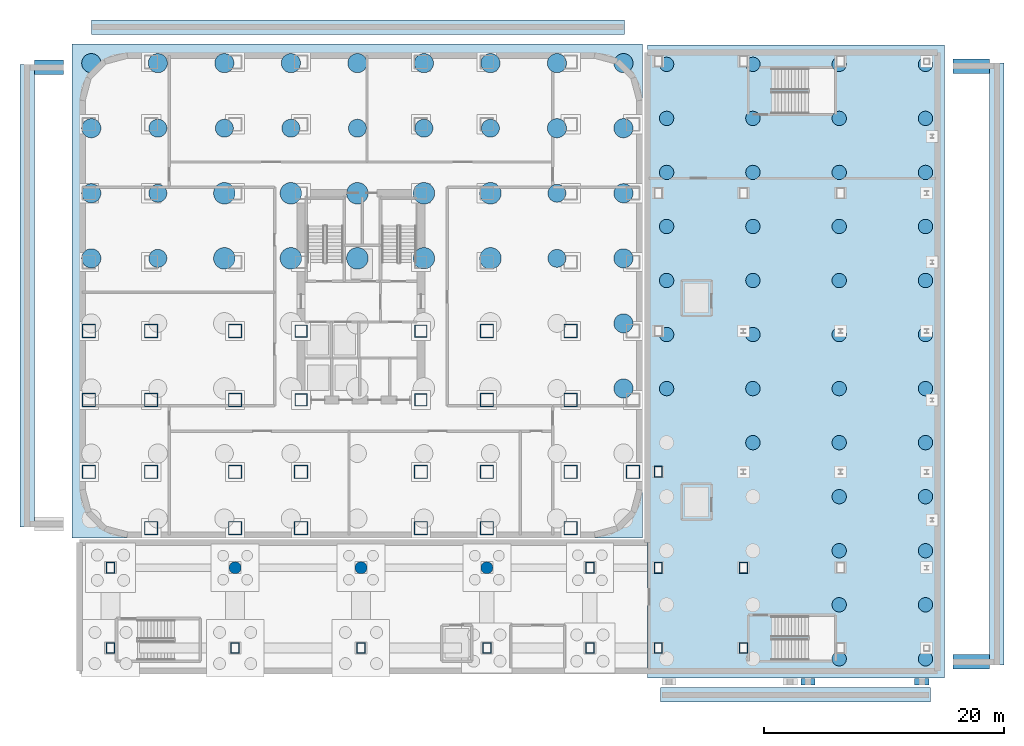
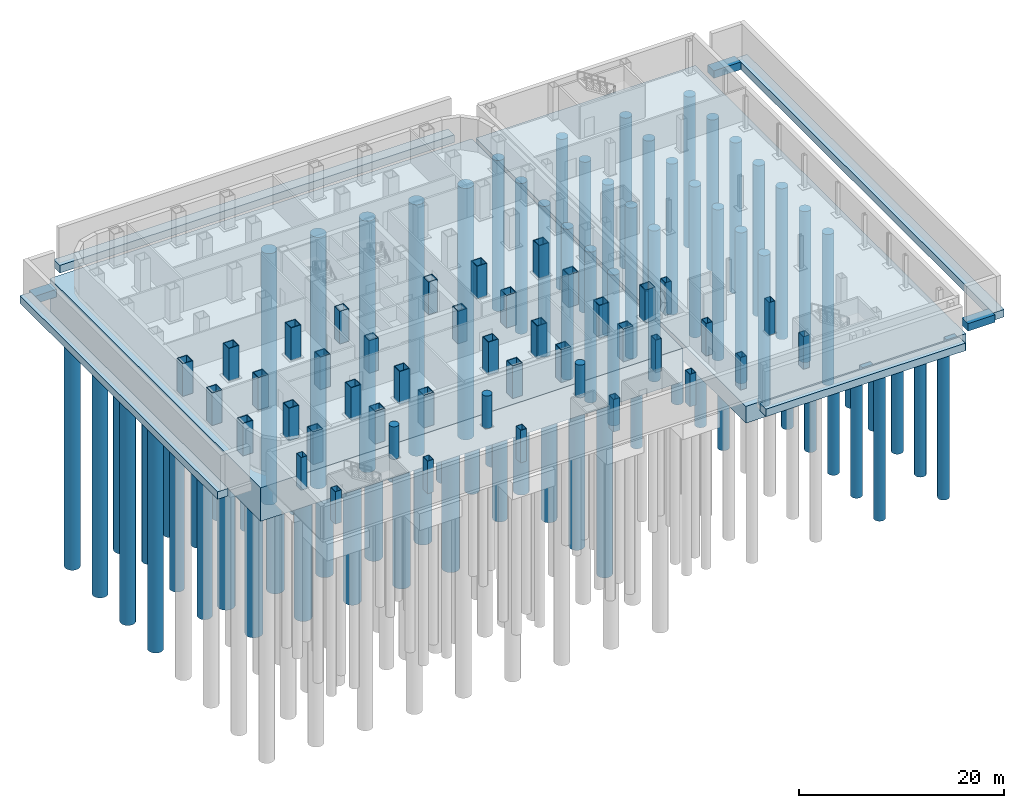
# One storey, part 2 of 16: 77 piles, 43 columns, 11 footings.
"""IFC4 building model written with IfcOpenShell, lengths in metres."""

from ifc_helpers import new_model, si_unit, direction, frame, origin, origin_2d, place, context, subcontext, project, spatial, polyline, rectangle, hollow_rectangle, circle, outline, extrude, source, transform, mapped, material, layer, layer_set, material_profile, profile_set, type_object, element, save


model = new_model("IFC4")

# Units and contexts
model_context = context("Model", 3, precision=1e-05, world=origin(), true_north=direction((0.0, 1.0)))
body_context = subcontext(model_context, "Body", "Model", "MODEL_VIEW")
ifc_project = project(units=[si_unit("LENGTHUNIT", "METRE"), si_unit("AREAUNIT", "SQUARE_METRE"), si_unit("VOLUMEUNIT", "CUBIC_METRE"), si_unit("PLANEANGLEUNIT", "RADIAN"), si_unit("MASSUNIT", "GRAM", prefix="KILO")], contexts=[model_context])

# Site, building, storey
site_placement = place(None, origin())
site = spatial("IfcSite", under=ifc_project, at=site_placement, CompositionType="ELEMENT")
building_placement = place(site_placement, origin())
building = spatial("IfcBuilding", under=site, at=building_placement, Name="Kolveth Station Tower", CompositionType="ELEMENT")
storey_placement = place(building_placement, frame((0.0, 0.0, -8.39990234375)))
storey = spatial("IfcBuildingStorey", under=building, at=storey_placement, Name="B2", CompositionType="ELEMENT", Elevation=-8.39990234375)

# Footings
ifc_material_1 = material(Name="Concrete C45/55", Category="concrete")
ifc_layer_1 = layer(ifc_material_1, 2.0)
ifc_layer_set_1 = layer_set([ifc_layer_1], Name="Concrete C45/55")
footing_type_1 = type_object("IfcFootingType", Name="Footing_RF-S1", PredefinedType="PILE_CAP", material=ifc_layer_set_1)
footing_1_placement = place(storey_placement, frame((0.0, 0.0, -2.5)))
element("IfcFooting", 1, at=footing_1_placement, inside=storey, type_object=footing_type_1, Name="Station East Wing Piled Raft RF-S1", PredefinedType="PILE_CAP", context=body_context, shape_type="SweptSolid", body=[
    extrude(outline(polyline([(47.39990234375, -11.699951171875), (72.199951171875, -11.699951171875), (72.199951171875, 41.10009765625), (47.39990234375, 41.10009765625), (47.39990234375, -11.699951171875)])), origin(), (0.0, 0.0, 1.0), 2.0),
])
ifc_material_2 = material(Name="Concrete C50/60", Category="concrete")
ifc_layer_2 = layer(ifc_material_2, 4.0)
ifc_layer_set_2 = layer_set([ifc_layer_2], Name="Concrete C50/60")
footing_type_2 = type_object("IfcFootingType", Name="Footing_RF-T1", PredefinedType="PILE_CAP", material=ifc_layer_set_2)
footing_2_placement = place(storey_placement, frame((0.0, 0.0, -4.5)))
element("IfcFooting", 2, at=footing_2_placement, inside=storey, type_object=footing_type_2, Name="Tower Piled Raft Foundation RF-T1", PredefinedType="PILE_CAP", context=body_context, shape_type="SweptSolid", body=[
    extrude(outline(polyline([(-0.60009765625, 0.0), (47.0, 0.0), (47.0, 41.199951171875), (-0.60009765625, 41.199951171875), (-0.60009765625, 0.0)])), origin(), (0.0, 0.0, 1.0), 4.0),
])

# Piles
ifc_material_profile_1 = material_profile(ifc_material_2, circle(Radius=0.800048828125, at=origin_2d()), Name="PILE-D1600")
ifc_profile_set_1 = profile_set([ifc_material_profile_1], Name="Concrete C50/60")
pile_type_1 = type_object("IfcPileType", Name="BoredPile_P2", PredefinedType="BORED", material=ifc_profile_set_1)
shared_shape_1 = source(origin(), body_context, "Body", "SweptSolid", [
    extrude(circle(Radius=0.800048828125, at=origin_2d()), origin(), (0.0, 0.0, 1.0), 30.0),
])
for number, where, z_axis, x_axis, name in (
    (3, (1.0, 23.31396484375, -4.35009765625), (0.0, 0.0, -1.0), (1.0, 0.0, 0.0), "Tower Bored Pile P2-005"),
    (4, (1.0, 28.742919921875, -4.35009765625), (0.0, 0.0, -1.0), (1.0, 0.0, 0.0), "Tower Bored Pile P2-006"),
    (5, (1.0, 34.1708984375, -4.35009765625), (0.0, 0.0, -1.0), (1.0, 0.0, 0.0), "Tower Bored Pile P2-007"),
    (6, (1.0, 39.60009765625, -4.35009765625), (0.0, 0.0, -1.0), (1.0, 0.0, 0.0), "Tower Bored Pile P2-008"),
    (7, (6.550048828125, 39.60009765625, -4.35009765625), (0.0, 0.0, -1.0), (1.0, 0.0, 0.0), "Tower Bored Pile P2-016"),
    (8, (12.10009765625, 39.60009765625, -4.35009765625), (0.0, 0.0, -1.0), (1.0, 0.0, 0.0), "Tower Bored Pile P2-024"),
    (9, (17.64990234375, 39.60009765625, -4.35009765625), (0.0, 0.0, -1.0), (1.0, 0.0, 0.0), "Tower Bored Pile P2-032"),
    (10, (23.199951171875, 39.60009765625, -4.35009765625), (0.0, 0.0, -1.0), (1.0, 0.0, 0.0), "Tower Bored Pile P2-040"),
    (11, (28.75, 39.60009765625, -4.35009765625), (0.0, 0.0, -1.0), (1.0, 0.0, 0.0), "Tower Bored Pile P2-048"),
    (12, (34.300048828125, 39.60009765625, -4.35009765625), (0.0, 0.0, -1.0), (1.0, 0.0, 0.0), "Tower Bored Pile P2-056"),
    (13, (39.85009765625, 34.1708984375, -4.35009765625), (0.0, 0.0, -1.0), (1.0, 0.0, 0.0), "Tower Bored Pile P2-063"),
    (14, (39.85009765625, 39.60009765625, -4.35009765625), (0.0, 0.0, -1.0), (1.0, 0.0, 0.0), "Tower Bored Pile P2-064"),
    (15, (45.39990234375, 12.45703125, -4.35009765625), (0.0, 0.0, -1.0), (1.0, 0.0, 0.0), "Tower Bored Pile P2-067"),
    (16, (45.39990234375, 17.885986328125, -4.35009765625), (0.0, 0.0, -1.0), (1.0, 0.0, 0.0), "Tower Bored Pile P2-068"),
    (17, (45.39990234375, 23.31396484375, -4.35009765625), (0.0, 0.0, -1.0), (1.0, 0.0, 0.0), "Tower Bored Pile P2-069"),
    (18, (45.39990234375, 28.742919921875, -4.35009765625), (0.0, 0.0, -1.0), (1.0, 0.0, 0.0), "Tower Bored Pile P2-070"),
    (19, (45.39990234375, 34.1708984375, -4.35009765625), (0.0, 0.0, -1.0), (1.0, 0.0, 0.0), "Tower Bored Pile P2-071"),
    (20, (45.39990234375, 39.60009765625, -4.35009765625), (0.0, 0.0, -1.0), (1.0, 0.0, 0.0), "Tower Bored Pile P2-072"),
):
    element("IfcPile", number, at=place(storey_placement, frame(where, z_axis=z_axis, x_axis=x_axis)), inside=storey, type_object=pile_type_1, Name=name, PredefinedType="BORED", context=body_context, shape_type="MappedRepresentation", body=[
        mapped(shared_shape_1, transform((0.0, 0.0, 0.0), x_axis=(1.0, 0.0, 0.0), y_axis=(0.0, 1.0, 0.0), z_axis=(0.0, 0.0, 1.0), scale=1.0)),
    ])
ifc_material_profile_2 = material_profile(ifc_material_2, circle(Radius=0.75, at=origin_2d()), Name="PILE-D1500")
ifc_profile_set_2 = profile_set([ifc_material_profile_2], Name="Concrete C50/60")
pile_type_2 = type_object("IfcPileType", Name="BoredPile_P3", PredefinedType="BORED", material=ifc_profile_set_2)
shared_shape_2 = source(origin(), body_context, "Body", "SweptSolid", [
    extrude(circle(Radius=0.75, at=origin_2d()), origin(), (0.0, 0.0, 1.0), 28.0),
])
for number, where, z_axis, x_axis, name in (
    (21, (6.550048828125, 23.31396484375, -4.35009765625), (0.0, 0.0, -1.0), (1.0, 0.0, 0.0), "Tower Bored Pile P3-013"),
    (22, (6.550048828125, 28.742919921875, -4.35009765625), (0.0, 0.0, -1.0), (1.0, 0.0, 0.0), "Tower Bored Pile P3-014"),
    (23, (6.550048828125, 34.1708984375, -4.35009765625), (0.0, 0.0, -1.0), (1.0, 0.0, 0.0), "Tower Bored Pile P3-015"),
    (24, (12.10009765625, 34.1708984375, -4.35009765625), (0.0, 0.0, -1.0), (1.0, 0.0, 0.0), "Tower Bored Pile P3-023"),
    (25, (17.64990234375, 34.1708984375, -4.35009765625), (0.0, 0.0, -1.0), (1.0, 0.0, 0.0), "Tower Bored Pile P3-031"),
    (26, (23.199951171875, 34.1708984375, -4.35009765625), (0.0, 0.0, -1.0), (1.0, 0.0, 0.0), "Tower Bored Pile P3-039"),
    (27, (28.75, 34.1708984375, -4.35009765625), (0.0, 0.0, -1.0), (1.0, 0.0, 0.0), "Tower Bored Pile P3-047"),
    (28, (34.300048828125, 34.1708984375, -4.35009765625), (0.0, 0.0, -1.0), (1.0, 0.0, 0.0), "Tower Bored Pile P3-055"),
    (29, (39.85009765625, 23.31396484375, -4.35009765625), (0.0, 0.0, -1.0), (1.0, 0.0, 0.0), "Tower Bored Pile P3-061"),
    (30, (39.85009765625, 28.742919921875, -4.35009765625), (0.0, 0.0, -1.0), (1.0, 0.0, 0.0), "Tower Bored Pile P3-062"),
):
    element("IfcPile", number, at=place(storey_placement, frame(where, z_axis=z_axis, x_axis=x_axis)), inside=storey, type_object=pile_type_2, Name=name, PredefinedType="BORED", context=body_context, shape_type="MappedRepresentation", body=[
        mapped(shared_shape_2, transform((0.0, 0.0, 0.0), x_axis=(1.0, 0.0, 0.0), y_axis=(0.0, 1.0, 0.0), z_axis=(0.0, 0.0, 1.0), scale=1.0)),
    ])
ifc_material_profile_3 = material_profile(ifc_material_2, circle(Radius=0.89990234375, at=origin_2d()), Name="PILE-D1800")
ifc_profile_set_3 = profile_set([ifc_material_profile_3], Name="Concrete C50/60")
pile_type_3 = type_object("IfcPileType", Name="BoredPile_P1", PredefinedType="BORED", material=ifc_profile_set_3)
shared_shape_3 = source(origin(), body_context, "Body", "SweptSolid", [
    extrude(circle(Radius=0.89990234375, at=origin_2d()), origin(), (0.0, 0.0, 1.0), 32.0),
])
for number, where, z_axis, x_axis, name in (
    (31, (12.10009765625, 23.31396484375, -4.35009765625), (0.0, 0.0, -1.0), (1.0, 0.0, 0.0), "Tower Bored Pile P1-021"),
    (32, (12.10009765625, 28.742919921875, -4.35009765625), (0.0, 0.0, -1.0), (1.0, 0.0, 0.0), "Tower Bored Pile P1-022"),
    (33, (17.64990234375, 23.31396484375, -4.35009765625), (0.0, 0.0, -1.0), (1.0, 0.0, 0.0), "Tower Bored Pile P1-029"),
    (34, (17.64990234375, 28.742919921875, -4.35009765625), (0.0, 0.0, -1.0), (1.0, 0.0, 0.0), "Tower Bored Pile P1-030"),
    (35, (23.199951171875, 23.31396484375, -4.35009765625), (0.0, 0.0, -1.0), (1.0, 0.0, 0.0), "Tower Bored Pile P1-037"),
    (36, (23.199951171875, 28.742919921875, -4.35009765625), (0.0, 0.0, -1.0), (1.0, 0.0, 0.0), "Tower Bored Pile P1-038"),
    (37, (28.75, 23.31396484375, -4.35009765625), (0.0, 0.0, -1.0), (1.0, 0.0, 0.0), "Tower Bored Pile P1-045"),
    (38, (28.75, 28.742919921875, -4.35009765625), (0.0, 0.0, -1.0), (1.0, 0.0, 0.0), "Tower Bored Pile P1-046"),
    (39, (34.300048828125, 23.31396484375, -4.35009765625), (0.0, 0.0, -1.0), (1.0, 0.0, 0.0), "Tower Bored Pile P1-053"),
    (40, (34.300048828125, 28.742919921875, -4.35009765625), (0.0, 0.0, -1.0), (1.0, 0.0, 0.0), "Tower Bored Pile P1-054"),
):
    element("IfcPile", number, at=place(storey_placement, frame(where, z_axis=z_axis, x_axis=x_axis)), inside=storey, type_object=pile_type_3, Name=name, PredefinedType="BORED", context=body_context, shape_type="MappedRepresentation", body=[
        mapped(shared_shape_3, transform((0.0, 0.0, 0.0), x_axis=(1.0, 0.0, 0.0), y_axis=(0.0, 1.0, 0.0), z_axis=(0.0, 0.0, 1.0), scale=1.0)),
    ])
ifc_material_profile_4 = material_profile(ifc_material_1, circle(Radius=0.60009765625, at=origin_2d()), Name="PILE-D1200")
ifc_profile_set_4 = profile_set([ifc_material_profile_4], Name="Concrete C45/55")
pile_type_4 = type_object("IfcPileType", Name="BoredPile_P4", PredefinedType="BORED", material=ifc_profile_set_4)
shared_shape_4 = source(origin(), body_context, "Body", "SweptSolid", [
    extrude(circle(Radius=0.60009765625, at=origin_2d()), origin(), (0.0, 0.0, 1.0), 18.0),
])
for number, where, z_axis, x_axis, name in (
    (41, (49.0, 12.445068359375, -2.35009765625), (0.0, 0.0, -1.0), (1.0, 0.0, 0.0), "Station Raft Pile P4-006"),
    (42, (49.0, 16.955078125, -2.35009765625), (0.0, 0.0, -1.0), (1.0, 0.0, 0.0), "Station Raft Pile P4-007"),
    (43, (49.0, 21.464111328125, -2.35009765625), (0.0, 0.0, -1.0), (1.0, 0.0, 0.0), "Station Raft Pile P4-008"),
    (44, (49.0, 25.972900390625, -2.35009765625), (0.0, 0.0, -1.0), (1.0, 0.0, 0.0), "Station Raft Pile P4-009"),
    (45, (49.0, 30.48193359375, -2.35009765625), (0.0, 0.0, -1.0), (1.0, 0.0, 0.0), "Station Raft Pile P4-010"),
    (46, (49.0, 34.990966796875, -2.35009765625), (0.0, 0.0, -1.0), (1.0, 0.0, 0.0), "Station Raft Pile P4-011"),
    (47, (49.0, 39.5, -2.35009765625), (0.0, 0.0, -1.0), (1.0, 0.0, 0.0), "Station Raft Pile P4-012"),
    (48, (56.199951171875, 7.93603515625, -2.35009765625), (0.0, 0.0, -1.0), (1.0, 0.0, 0.0), "Station Raft Pile P4-017"),
    (49, (56.199951171875, 12.445068359375, -2.35009765625), (0.0, 0.0, -1.0), (1.0, 0.0, 0.0), "Station Raft Pile P4-018"),
    (50, (56.199951171875, 16.955078125, -2.35009765625), (0.0, 0.0, -1.0), (1.0, 0.0, 0.0), "Station Raft Pile P4-019"),
    (51, (56.199951171875, 21.464111328125, -2.35009765625), (0.0, 0.0, -1.0), (1.0, 0.0, 0.0), "Station Raft Pile P4-020"),
    (52, (56.199951171875, 25.972900390625, -2.35009765625), (0.0, 0.0, -1.0), (1.0, 0.0, 0.0), "Station Raft Pile P4-021"),
    (53, (56.199951171875, 30.48193359375, -2.35009765625), (0.0, 0.0, -1.0), (1.0, 0.0, 0.0), "Station Raft Pile P4-022"),
    (54, (56.199951171875, 34.990966796875, -2.35009765625), (0.0, 0.0, -1.0), (1.0, 0.0, 0.0), "Station Raft Pile P4-023"),
    (55, (56.199951171875, 39.5, -2.35009765625), (0.0, 0.0, -1.0), (1.0, 0.0, 0.0), "Station Raft Pile P4-024"),
    (56, (63.39990234375, -10.10009765625, -2.35009765625), (0.0, 0.0, -1.0), (1.0, 0.0, 0.0), "Station Raft Pile P4-025"),
    (57, (63.39990234375, -5.591064453125, -2.35009765625), (0.0, 0.0, -1.0), (1.0, 0.0, 0.0), "Station Raft Pile P4-026"),
    (58, (63.39990234375, -1.08203125, -2.35009765625), (0.0, 0.0, -1.0), (1.0, 0.0, 0.0), "Station Raft Pile P4-027"),
    (59, (63.39990234375, 3.427001953125, -2.35009765625), (0.0, 0.0, -1.0), (1.0, 0.0, 0.0), "Station Raft Pile P4-028"),
    (60, (63.39990234375, 7.93603515625, -2.35009765625), (0.0, 0.0, -1.0), (1.0, 0.0, 0.0), "Station Raft Pile P4-029"),
    (61, (63.39990234375, 12.445068359375, -2.35009765625), (0.0, 0.0, -1.0), (1.0, 0.0, 0.0), "Station Raft Pile P4-030"),
    (62, (63.39990234375, 16.955078125, -2.35009765625), (0.0, 0.0, -1.0), (1.0, 0.0, 0.0), "Station Raft Pile P4-031"),
    (63, (63.39990234375, 21.464111328125, -2.35009765625), (0.0, 0.0, -1.0), (1.0, 0.0, 0.0), "Station Raft Pile P4-032"),
    (64, (63.39990234375, 25.972900390625, -2.35009765625), (0.0, 0.0, -1.0), (1.0, 0.0, 0.0), "Station Raft Pile P4-033"),
    (65, (63.39990234375, 30.48193359375, -2.35009765625), (0.0, 0.0, -1.0), (1.0, 0.0, 0.0), "Station Raft Pile P4-034"),
    (66, (63.39990234375, 34.990966796875, -2.35009765625), (0.0, 0.0, -1.0), (1.0, 0.0, 0.0), "Station Raft Pile P4-035"),
    (67, (63.39990234375, 39.5, -2.35009765625), (0.0, 0.0, -1.0), (1.0, 0.0, 0.0), "Station Raft Pile P4-036"),
    (68, (70.60009765625, -10.10009765625, -2.35009765625), (0.0, 0.0, -1.0), (1.0, 0.0, 0.0), "Station Raft Pile P4-037"),
    (69, (70.60009765625, -5.591064453125, -2.35009765625), (0.0, 0.0, -1.0), (1.0, 0.0, 0.0), "Station Raft Pile P4-038"),
    (70, (70.60009765625, -1.08203125, -2.35009765625), (0.0, 0.0, -1.0), (1.0, 0.0, 0.0), "Station Raft Pile P4-039"),
    (71, (70.60009765625, 3.427001953125, -2.35009765625), (0.0, 0.0, -1.0), (1.0, 0.0, 0.0), "Station Raft Pile P4-040"),
    (72, (70.60009765625, 7.93603515625, -2.35009765625), (0.0, 0.0, -1.0), (1.0, 0.0, 0.0), "Station Raft Pile P4-041"),
    (73, (70.60009765625, 12.445068359375, -2.35009765625), (0.0, 0.0, -1.0), (1.0, 0.0, 0.0), "Station Raft Pile P4-042"),
    (74, (70.60009765625, 16.955078125, -2.35009765625), (0.0, 0.0, -1.0), (1.0, 0.0, 0.0), "Station Raft Pile P4-043"),
    (75, (70.60009765625, 21.464111328125, -2.35009765625), (0.0, 0.0, -1.0), (1.0, 0.0, 0.0), "Station Raft Pile P4-044"),
    (76, (70.60009765625, 25.972900390625, -2.35009765625), (0.0, 0.0, -1.0), (1.0, 0.0, 0.0), "Station Raft Pile P4-045"),
    (77, (70.60009765625, 30.48193359375, -2.35009765625), (0.0, 0.0, -1.0), (1.0, 0.0, 0.0), "Station Raft Pile P4-046"),
    (78, (70.60009765625, 34.990966796875, -2.35009765625), (0.0, 0.0, -1.0), (1.0, 0.0, 0.0), "Station Raft Pile P4-047"),
    (79, (70.60009765625, 39.5, -2.35009765625), (0.0, 0.0, -1.0), (1.0, 0.0, 0.0), "Station Raft Pile P4-048"),
):
    element("IfcPile", number, at=place(storey_placement, frame(where, z_axis=z_axis, x_axis=x_axis)), inside=storey, type_object=pile_type_4, Name=name, PredefinedType="BORED", context=body_context, shape_type="MappedRepresentation", body=[
        mapped(shared_shape_4, transform((0.0, 0.0, 0.0), x_axis=(1.0, 0.0, 0.0), y_axis=(0.0, 1.0, 0.0), z_axis=(0.0, 0.0, 1.0), scale=1.0)),
    ])

# Footings
ifc_material_profile_5 = material_profile(ifc_material_1, rectangle(XDim=1.199951171875, YDim=0.89990234375, at=origin_2d()), Name="RC-1200x900")
ifc_profile_set_5 = profile_set([ifc_material_profile_5], Name="Concrete C45/55")
footing_type_3 = type_object("IfcFootingType", Name="Footing_SF2", PredefinedType="STRIP_FOOTING", material=ifc_profile_set_5)
shared_shape_5 = source(origin(), body_context, "Body", "SweptSolid", [
    extrude(rectangle(XDim=1.199951171875, YDim=0.89990234375, at=origin_2d()), origin(), (0.0, 0.0, 1.0), 38.60009765625),
])
footing_3_placement = place(storey_placement, frame((-4.35009765625, 0.89990234375, -0.4501953125), z_axis=(0.0, 1.0, 0.0), x_axis=(-1.0, 0.0, 0.0)))
element("IfcFooting", 80, at=footing_3_placement, inside=storey, type_object=footing_type_3, Name="Forecourt Retaining Wall Strip Footing 1", PredefinedType="STRIP_FOOTING", context=body_context, shape_type="MappedRepresentation", body=[
    mapped(shared_shape_5, transform((0.0, 0.0, 0.0), x_axis=(1.0, 0.0, 0.0), y_axis=(0.0, 1.0, 0.0), z_axis=(0.0, 0.0, 1.0), scale=1.0)),
])
shared_shape_6 = source(origin(), body_context, "Body", "SweptSolid", [
    extrude(rectangle(XDim=1.199951171875, YDim=0.89990234375, at=origin_2d()), origin(), (0.0, 0.0, 1.0), 2.449951171875),
])
footing_4_placement = place(storey_placement, frame((-3.75, 39.25, -0.4501953125), z_axis=(1.0, 0.0, 0.0), x_axis=(0.0, 1.0, 0.0)))
element("IfcFooting", 81, at=footing_4_placement, inside=storey, type_object=footing_type_3, Name="Forecourt Retaining Wall Strip Footing 3", PredefinedType="STRIP_FOOTING", context=body_context, shape_type="MappedRepresentation", body=[
    mapped(shared_shape_6, transform((0.0, 0.0, 0.0), x_axis=(1.0, 0.0, 0.0), y_axis=(0.0, 1.0, 0.0), z_axis=(0.0, 0.0, 1.0), scale=1.0)),
])
shared_shape_7 = source(origin(), body_context, "Body", "SweptSolid", [
    extrude(rectangle(XDim=1.199951171875, YDim=0.89990234375, at=origin_2d()), origin(), (0.0, 0.0, 1.0), 50.2001953125),
])
footing_5_placement = place(storey_placement, frame((76.550048828125, -10.60009765625, -0.4501953125), z_axis=(0.0, 1.0, 0.0), x_axis=(-1.0, 0.0, 0.0)))
element("IfcFooting", 82, at=footing_5_placement, inside=storey, type_object=footing_type_3, Name="Forecourt Retaining Wall Strip Footing 4", PredefinedType="STRIP_FOOTING", context=body_context, shape_type="MappedRepresentation", body=[
    mapped(shared_shape_7, transform((0.0, 0.0, 0.0), x_axis=(1.0, 0.0, 0.0), y_axis=(0.0, 1.0, 0.0), z_axis=(0.0, 0.0, 1.0), scale=1.0)),
])
shared_shape_8 = source(origin(), body_context, "Body", "SweptSolid", [
    extrude(rectangle(XDim=1.199951171875, YDim=0.89990234375, at=origin_2d()), origin(), (0.0, 0.0, 1.0), 3.050048828125),
])
for number, where, z_axis, x_axis, name in (
    (83, (72.89990234375, -10.35009765625, -0.4501953125), (1.0, 0.0, 0.0), (0.0, 1.0, 0.0), "Forecourt Retaining Wall Strip Footing 5"),
    (84, (72.89990234375, 39.35009765625, -0.4501953125), (1.0, 0.0, 0.0), (0.0, 1.0, 0.0), "Forecourt Retaining Wall Strip Footing 6"),
):
    element("IfcFooting", number, at=place(storey_placement, frame(where, z_axis=z_axis, x_axis=x_axis)), inside=storey, type_object=footing_type_3, Name=name, PredefinedType="STRIP_FOOTING", context=body_context, shape_type="MappedRepresentation", body=[
        mapped(shared_shape_8, transform((0.0, 0.0, 0.0), x_axis=(1.0, 0.0, 0.0), y_axis=(0.0, 1.0, 0.0), z_axis=(0.0, 0.0, 1.0), scale=1.0)),
    ])
shared_shape_9 = source(origin(), body_context, "Body", "SweptSolid", [
    extrude(rectangle(XDim=1.199951171875, YDim=0.89990234375, at=origin_2d()), origin(), (0.0, 0.0, 1.0), 44.5),
])
footing_6_placement = place(storey_placement, frame((1.0, 42.60009765625, -0.4501953125), z_axis=(1.0, 0.0, 0.0), x_axis=(0.0, 1.0, 0.0)))
element("IfcFooting", 85, at=footing_6_placement, inside=storey, type_object=footing_type_3, Name="Forecourt Retaining Wall Strip Footing 7", PredefinedType="STRIP_FOOTING", context=body_context, shape_type="MappedRepresentation", body=[
    mapped(shared_shape_9, transform((0.0, 0.0, 0.0), x_axis=(1.0, 0.0, 0.0), y_axis=(0.0, 1.0, 0.0), z_axis=(0.0, 0.0, 1.0), scale=1.0)),
])
shared_shape_10 = source(origin(), body_context, "Body", "SweptSolid", [
    extrude(rectangle(XDim=1.199951171875, YDim=0.89990234375, at=origin_2d()), origin(), (0.0, 0.0, 1.0), 22.5),
])
footing_7_placement = place(storey_placement, frame((48.5, -13.10009765625, -0.4501953125), z_axis=(1.0, 0.0, 0.0), x_axis=(0.0, 1.0, 0.0)))
element("IfcFooting", 86, at=footing_7_placement, inside=storey, type_object=footing_type_3, Name="Forecourt Retaining Wall Strip Footing 8", PredefinedType="STRIP_FOOTING", context=body_context, shape_type="MappedRepresentation", body=[
    mapped(shared_shape_10, transform((0.0, 0.0, 0.0), x_axis=(1.0, 0.0, 0.0), y_axis=(0.0, 1.0, 0.0), z_axis=(0.0, 0.0, 1.0), scale=1.0)),
])
shared_shape_11 = source(origin(), body_context, "Body", "SweptSolid", [
    extrude(rectangle(XDim=1.199951171875, YDim=0.89990234375, at=origin_2d()), origin(), (0.0, 0.0, 1.0), 0.550048828125),
])
for number, where, z_axis, x_axis, name in (
    (87, (60.800048828125, -12.300048828125, -0.4501953125), (0.0, 1.0, 0.0), (-1.0, 0.0, 0.0), "Forecourt Retaining Wall Strip Footing 11"),
    (88, (70.300048828125, -12.300048828125, -0.4501953125), (0.0, 1.0, 0.0), (-1.0, 0.0, 0.0), "Forecourt Retaining Wall Strip Footing 12"),
):
    element("IfcFooting", number, at=place(storey_placement, frame(where, z_axis=z_axis, x_axis=x_axis)), inside=storey, type_object=footing_type_3, Name=name, PredefinedType="STRIP_FOOTING", context=body_context, shape_type="MappedRepresentation", body=[
        mapped(shared_shape_11, transform((0.0, 0.0, 0.0), x_axis=(1.0, 0.0, 0.0), y_axis=(0.0, 1.0, 0.0), z_axis=(0.0, 0.0, 1.0), scale=1.0)),
    ])

# Columns
ifc_material_3 = material(Name="Steel S460", Category="steel")
ifc_material_profile_6 = material_profile(ifc_material_3, hollow_rectangle(XDim=1.139892578125, YDim=1.139892578125, WallThickness=0.070068359375, at=origin_2d()), Name="BOX1140x1140x70")
ifc_profile_set_6 = profile_set([ifc_material_profile_6], Name="Steel S460")
column_type_1 = type_object("IfcColumnType", Name="Col_C1", PredefinedType="COLUMN", material=ifc_profile_set_6)
shared_shape_12 = source(origin(), body_context, "Body", "SweptSolid", [
    extrude(hollow_rectangle(XDim=1.139892578125, YDim=1.139892578125, WallThickness=0.070068359375, at=origin_2d()), origin(), (0.0, 0.0, 1.0), 3.8798828125),
])
for number, where, z_axis, x_axis, name in (
    (89, (6.0, 0.800048828125, 0.0), (0.0, 0.0, 1.0), (1.0, 0.0, 0.0), "B2 Tower Column S-X60"),
    (90, (13.0, 0.800048828125, 0.0), (0.0, 0.0, 1.0), (1.0, 0.0, 0.0), "B2 Tower Column S-X130"),
    (91, (18.5, 0.800048828125, 0.0), (0.0, 0.0, 1.0), (1.0, 0.0, 0.0), "B2 Tower Column S-X185"),
    (92, (28.5, 0.800048828125, 0.0), (0.0, 0.0, 1.0), (1.0, 0.0, 0.0), "B2 Tower Column S-X285"),
    (93, (34.0, 0.800048828125, 0.0), (0.0, 0.0, 1.0), (1.0, 0.0, 0.0), "B2 Tower Column S-X340"),
    (94, (41.0, 0.800048828125, 0.0), (0.0, 0.0, 1.0), (1.0, 0.0, 0.0), "B2 Tower Column S-X410"),
    (95, (0.800048828125, 5.5, 0.0), (0.0, 0.0, 1.0), (1.0, 0.0, 0.0), "B2 Tower Column W-Y55"),
    (96, (46.199951171875, 5.5, 0.0), (0.0, 0.0, 1.0), (1.0, 0.0, 0.0), "B2 Tower Column E-Y55"),
    (97, (0.800048828125, 11.5, 0.0), (0.0, 0.0, 1.0), (1.0, 0.0, 0.0), "B2 Tower Column W-Y115"),
    (98, (0.800048828125, 17.25, 0.0), (0.0, 0.0, 1.0), (1.0, 0.0, 0.0), "B2 Tower Column W-Y172"),
    (99, (6.0, 5.5, 0.0), (0.0, 0.0, 1.0), (1.0, 0.0, 0.0), "B2 Tower Column G-60-55"),
    (100, (6.0, 11.5, 0.0), (0.0, 0.0, 1.0), (1.0, 0.0, 0.0), "B2 Tower Column G-60-115"),
    (101, (6.0, 17.25, 0.0), (0.0, 0.0, 1.0), (1.0, 0.0, 0.0), "B2 Tower Column G-60-172"),
    (102, (13.0, 5.5, 0.0), (0.0, 0.0, 1.0), (1.0, 0.0, 0.0), "B2 Tower Column G-130-55"),
    (103, (13.0, 11.5, 0.0), (0.0, 0.0, 1.0), (1.0, 0.0, 0.0), "B2 Tower Column G-130-115"),
    (104, (13.0, 17.25, 0.0), (0.0, 0.0, 1.0), (1.0, 0.0, 0.0), "B2 Tower Column G-130-172"),
    (105, (18.5, 5.5, 0.0), (0.0, 0.0, 1.0), (1.0, 0.0, 0.0), "B2 Tower Column G-185-55"),
    (106, (28.5, 5.5, 0.0), (0.0, 0.0, 1.0), (1.0, 0.0, 0.0), "B2 Tower Column G-285-55"),
    (107, (34.0, 5.5, 0.0), (0.0, 0.0, 1.0), (1.0, 0.0, 0.0), "B2 Tower Column G-340-55"),
    (108, (34.0, 11.5, 0.0), (0.0, 0.0, 1.0), (1.0, 0.0, 0.0), "B2 Tower Column G-340-115"),
    (109, (34.0, 17.25, 0.0), (0.0, 0.0, 1.0), (1.0, 0.0, 0.0), "B2 Tower Column G-340-172"),
    (110, (41.0, 5.5, 0.0), (0.0, 0.0, 1.0), (1.0, 0.0, 0.0), "B2 Tower Column G-410-55"),
    (111, (41.0, 11.5, 0.0), (0.0, 0.0, 1.0), (1.0, 0.0, 0.0), "B2 Tower Column G-410-115"),
    (112, (41.0, 17.25, 0.0), (0.0, 0.0, 1.0), (1.0, 0.0, 0.0), "B2 Tower Column G-410-172"),
):
    element("IfcColumn", number, at=place(storey_placement, frame(where, z_axis=z_axis, x_axis=x_axis)), inside=storey, type_object=column_type_1, Name=name, PredefinedType="COLUMN", context=body_context, shape_type="MappedRepresentation", body=[
        mapped(shared_shape_12, transform((0.0, 0.0, 0.0), x_axis=(1.0, 0.0, 0.0), y_axis=(0.0, 1.0, 0.0), z_axis=(0.0, 0.0, 1.0), scale=1.0)),
    ])
ifc_material_profile_7 = material_profile(ifc_material_3, hollow_rectangle(XDim=1.0400390625, YDim=1.0400390625, WallThickness=0.06494140625, at=origin_2d()), Name="BOX1040x1040x65")
ifc_profile_set_7 = profile_set([ifc_material_profile_7], Name="Steel S460")
column_type_2 = type_object("IfcColumnType", Name="Col_C2", PredefinedType="COLUMN", material=ifc_profile_set_7)
shared_shape_13 = source(origin(), body_context, "Body", "SweptSolid", [
    extrude(hollow_rectangle(XDim=1.0400390625, YDim=1.0400390625, WallThickness=0.06494140625, at=origin_2d()), origin(), (0.0, 0.0, 1.0), 3.8798828125),
])
for number, where, z_axis, x_axis, name in (
    (113, (18.5, 11.5, 0.0), (0.0, 0.0, 1.0), (1.0, 0.0, 0.0), "B2 Tower Column G-185-115"),
    (114, (18.5, 17.25, 0.0), (0.0, 0.0, 1.0), (1.0, 0.0, 0.0), "B2 Tower Column G-185-172"),
    (115, (28.5, 11.5, 0.0), (0.0, 0.0, 1.0), (1.0, 0.0, 0.0), "B2 Tower Column G-285-115"),
    (116, (28.5, 17.25, 0.0), (0.0, 0.0, 1.0), (1.0, 0.0, 0.0), "B2 Tower Column G-285-172"),
):
    element("IfcColumn", number, at=place(storey_placement, frame(where, z_axis=z_axis, x_axis=x_axis)), inside=storey, type_object=column_type_2, Name=name, PredefinedType="COLUMN", context=body_context, shape_type="MappedRepresentation", body=[
        mapped(shared_shape_13, transform((0.0, 0.0, 0.0), x_axis=(1.0, 0.0, 0.0), y_axis=(0.0, 1.0, 0.0), z_axis=(0.0, 0.0, 1.0), scale=1.0)),
    ])
ifc_material_4 = material(Name="Steel S355", Category="steel")
ifc_material_profile_8 = material_profile(ifc_material_4, hollow_rectangle(XDim=0.699951171875, YDim=0.89990234375, WallThickness=0.0400390625, at=origin_2d()), Name="BOX900x700x40")
ifc_profile_set_8 = profile_set([ifc_material_profile_8], Name="Steel S355")
column_type_3 = type_object("IfcColumnType", Name="Col_SC1", PredefinedType="COLUMN", material=ifc_profile_set_8)
shared_shape_14 = source(origin(), body_context, "Body", "SweptSolid", [
    extrude(hollow_rectangle(XDim=0.699951171875, YDim=0.89990234375, WallThickness=0.0400390625, at=origin_2d()), origin(), (0.0, 0.0, 1.0), 3.8798828125),
])
for number, where, z_axis, x_axis, name in (
    (117, (2.60009765625, -9.199951171875, 0.0), (0.0, 0.0, 1.0), (1.0, 0.0, 0.0), "B2 Station Column SS-A1"),
    (118, (2.60009765625, -2.5, 0.0), (0.0, 0.0, 1.0), (1.0, 0.0, 0.0), "B2 Station Column SS-B1"),
    (119, (13.0, -9.199951171875, 0.0), (0.0, 0.0, 1.0), (1.0, 0.0, 0.0), "B2 Station Column SS-A2"),
    (120, (23.5, -9.199951171875, 0.0), (0.0, 0.0, 1.0), (1.0, 0.0, 0.0), "B2 Station Column SS-A3"),
    (121, (34.0, -9.199951171875, 0.0), (0.0, 0.0, 1.0), (1.0, 0.0, 0.0), "B2 Station Column SS-A4"),
    (122, (42.60009765625, -9.199951171875, 0.0), (0.0, 0.0, 1.0), (1.0, 0.0, 0.0), "B2 Station Column SS-A5"),
    (123, (42.60009765625, -2.5, 0.0), (0.0, 0.0, 1.0), (1.0, 0.0, 0.0), "B2 Station Column SS-B5"),
    (124, (48.300048828125, -9.199951171875, 0.0), (0.0, 0.0, 1.0), (1.0, 0.0, 0.0), "B2 Station Column SE-1-1"),
    (125, (48.300048828125, -2.5, 0.0), (0.0, 0.0, 1.0), (1.0, 0.0, 0.0), "B2 Station Column SE-1-2"),
    (126, (48.300048828125, 5.5, 0.0), (0.0, 0.0, 1.0), (1.0, 0.0, 0.0), "B2 Station Column SE-1-3"),
    (127, (55.39990234375, -9.199951171875, 0.0), (0.0, 0.0, 1.0), (1.0, 0.0, 0.0), "B2 Station Column SE-2-1"),
    (128, (55.39990234375, -2.5, 0.0), (0.0, 0.0, 1.0), (1.0, 0.0, 0.0), "B2 Station Column SE-2-2"),
):
    element("IfcColumn", number, at=place(storey_placement, frame(where, z_axis=z_axis, x_axis=x_axis)), inside=storey, type_object=column_type_3, Name=name, PredefinedType="COLUMN", context=body_context, shape_type="MappedRepresentation", body=[
        mapped(shared_shape_14, transform((0.0, 0.0, 0.0), x_axis=(1.0, 0.0, 0.0), y_axis=(0.0, 1.0, 0.0), z_axis=(0.0, 0.0, 1.0), scale=1.0)),
    ])
ifc_material_profile_9 = material_profile(ifc_material_2, circle(Radius=0.5, at=origin_2d()), Name="RC-D1000")
ifc_profile_set_9 = profile_set([ifc_material_profile_9], Name="Concrete C50/60")
column_type_4 = type_object("IfcColumnType", Name="Col_CC1", PredefinedType="COLUMN", material=ifc_profile_set_9)
shared_shape_15 = source(origin(), body_context, "Body", "SweptSolid", [
    extrude(circle(Radius=0.5, at=origin_2d()), origin(), (0.0, 0.0, 1.0), 3.8798828125),
])
for number, where, z_axis, x_axis, name in (
    (129, (13.0, -2.5, 0.0), (0.0, 0.0, 1.0), (1.0, 0.0, 0.0), "B2 Station Column SS-B2"),
    (130, (23.5, -2.5, 0.0), (0.0, 0.0, 1.0), (1.0, 0.0, 0.0), "B2 Station Column SS-B3"),
    (131, (34.0, -2.5, 0.0), (0.0, 0.0, 1.0), (1.0, 0.0, 0.0), "B2 Station Column SS-B4"),
):
    element("IfcColumn", number, at=place(storey_placement, frame(where, z_axis=z_axis, x_axis=x_axis)), inside=storey, type_object=column_type_4, Name=name, PredefinedType="COLUMN", context=body_context, shape_type="MappedRepresentation", body=[
        mapped(shared_shape_15, transform((0.0, 0.0, 0.0), x_axis=(1.0, 0.0, 0.0), y_axis=(0.0, 1.0, 0.0), z_axis=(0.0, 0.0, 1.0), scale=1.0)),
    ])

save(model, "model.ifc")
